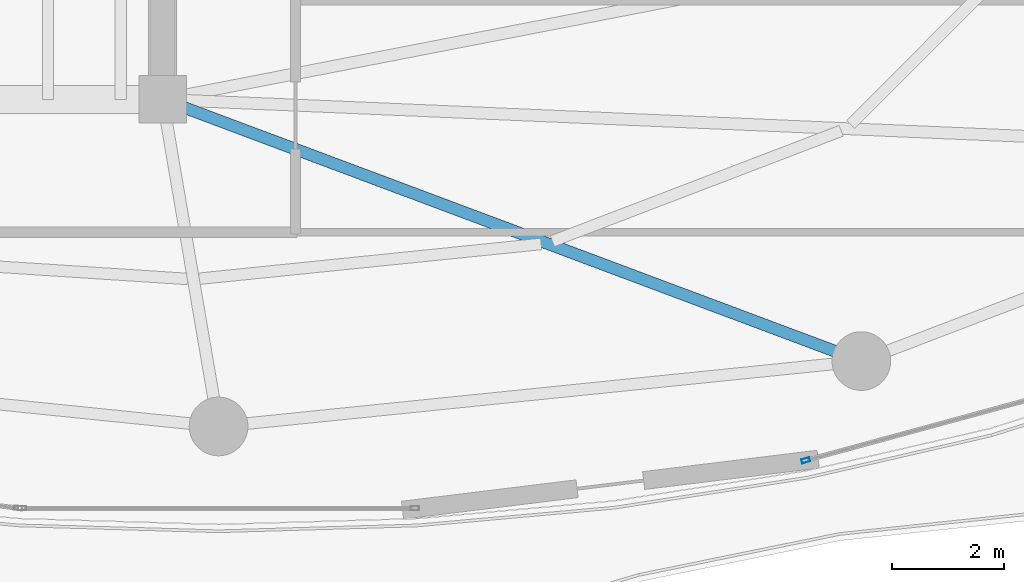
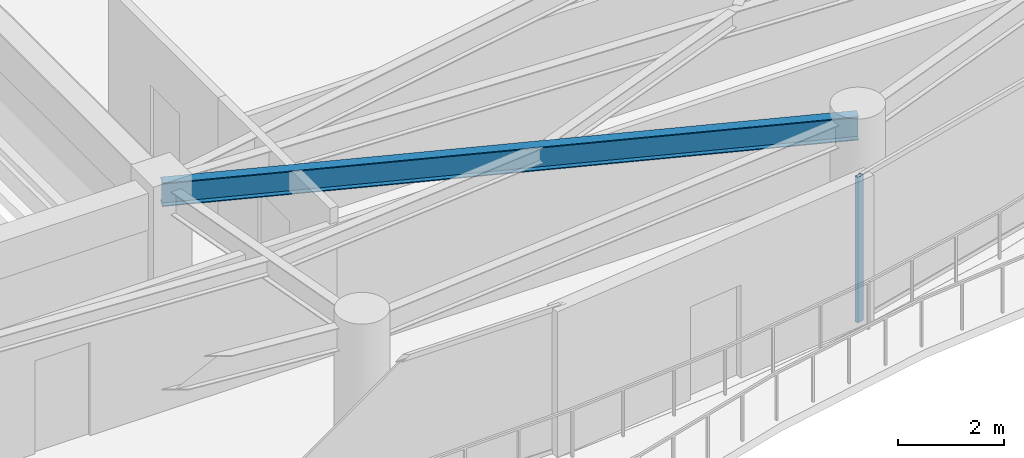
# One storey, part 11 of 30: 1 beam, 1 member, 1 element without a shape of its own.
"""IFC4 building model written with IfcOpenShell, lengths in metres."""

from ifc_helpers import new_model, si_unit, direction, frame, origin, origin_2d, place, context, subcontext, project, spatial, hollow_rectangle, i_section, extrude, material, layer, layer_set, material_profile, profile_set, type_object, element, aggregate, save


model = new_model("IFC4")

# Units and contexts
model_context = context("Model", 3, precision=1e-05, world=origin(), true_north=direction((0.0, 1.0)))
body_context = subcontext(model_context, "Body", "Model", "MODEL_VIEW")
ifc_project = project(units=[si_unit("LENGTHUNIT", "METRE"), si_unit("AREAUNIT", "SQUARE_METRE"), si_unit("VOLUMEUNIT", "CUBIC_METRE"), si_unit("PLANEANGLEUNIT", "RADIAN"), si_unit("MASSUNIT", "GRAM", prefix="KILO")], contexts=[model_context])

# Site, building, storey
site_placement = place(None, origin())
site = spatial("IfcSite", under=ifc_project, at=site_placement, CompositionType="ELEMENT")
building_placement = place(site_placement, origin())
building = spatial("IfcBuilding", under=site, at=building_placement, Name="Kazevale Care Tower and Concert Hall", CompositionType="ELEMENT")
storey_placement = place(building_placement, frame((0.0, 0.0, 242.39990234375)))
storey = spatial("IfcBuildingStorey", under=building, at=storey_placement, Name="L64", CompositionType="ELEMENT", Elevation=242.39990234375)

# Curtain wall, member
ifc_material_1 = material(Name="Aluminium 6063-T6 and Low-E Glass", Category="aluminium")
ifc_layer = layer(ifc_material_1, 0.179931640625)
ifc_layer_set = layer_set([ifc_layer], Name="Aluminium 6063-T6 and Low-E Glass")
curtain_wall_type = type_object("IfcCurtainWallType", Name="Sheltered Concave Balcony Curtain Wall CW-5", PredefinedType="NOTDEFINED", material=ifc_layer_set)
curtain_wall_placement = place(storey_placement, origin())
curtain_wall = element("IfcCurtainWall", 1, at=curtain_wall_placement, inside=storey, type_object=curtain_wall_type, Name="cw:L64:f04", PredefinedType="NOTDEFINED")
ifc_material_2 = material(Name="Aluminium 6063-T6", Category="aluminium")
ifc_material_profile_1 = material_profile(ifc_material_2, hollow_rectangle(XDim=0.074951171875, YDim=0.14990234375, WallThickness=0.00390625, at=origin_2d()), Name="ALU75x150x4")
ifc_profile_set_1 = profile_set([ifc_material_profile_1], Name="Aluminium 6063-T6")
member_type = type_object("IfcMemberType", Name="CW-5 Mullion ALU75x150x4", PredefinedType="MULLION", material=ifc_profile_set_1)
member_placement = place(storey_placement, frame((55.505126953125, 17.142822265625, 0.0), z_axis=(0.0, 0.0, 1.0), x_axis=(0.262848968947, -0.964836991167, 0.0)))
member = element("IfcMember", 2, at=member_placement, type_object=member_type, Name="CW-5 mullion 2", PredefinedType="MULLION", context=body_context, shape_type="SweptSolid", body=[
    extrude(hollow_rectangle(XDim=0.074951171875, YDim=0.14990234375, WallThickness=0.00390625, at=origin_2d()), origin(), (0.0, 0.0, 1.0), 3.360107421875),
])
aggregate(curtain_wall, [member])

# Beam
ifc_material_3 = material(Name="Steel ASTM A572 Gr 50", Category="steel")
ifc_material_profile_2 = material_profile(ifc_material_3, i_section(OverallWidth=0.2119140625, OverallDepth=0.5439453125, WebThickness=0.01318359375, FlangeThickness=0.021240234375, at=origin_2d()), Name="W530x123")
ifc_profile_set_2 = profile_set([ifc_material_profile_2], Name="Steel ASTM A572 Gr 50")
beam_type = type_object("IfcBeamType", Name="Radial Floor Girder W530x123", PredefinedType="BEAM", material=ifc_profile_set_2)
beam_placement = place(storey_placement, frame((44.0, 23.60009765625, 3.088134765625), z_axis=(0.936509460339, -0.350642311615, 0.0), x_axis=(0.350642311615, 0.936509460339, 0.0)))
element("IfcBeam", 3, at=beam_placement, inside=storey, type_object=beam_type, Name="beam:L64:rad:14", PredefinedType="BEAM", context=body_context, shape_type="SweptSolid", body=[
    extrude(i_section(OverallWidth=0.2119140625, OverallDepth=0.5439453125, WebThickness=0.01318359375, FlangeThickness=0.021240234375, at=origin_2d()), origin(), (0.0, 0.0, 1.0), 13.347412109375),
])

save(model, "model.ifc")
